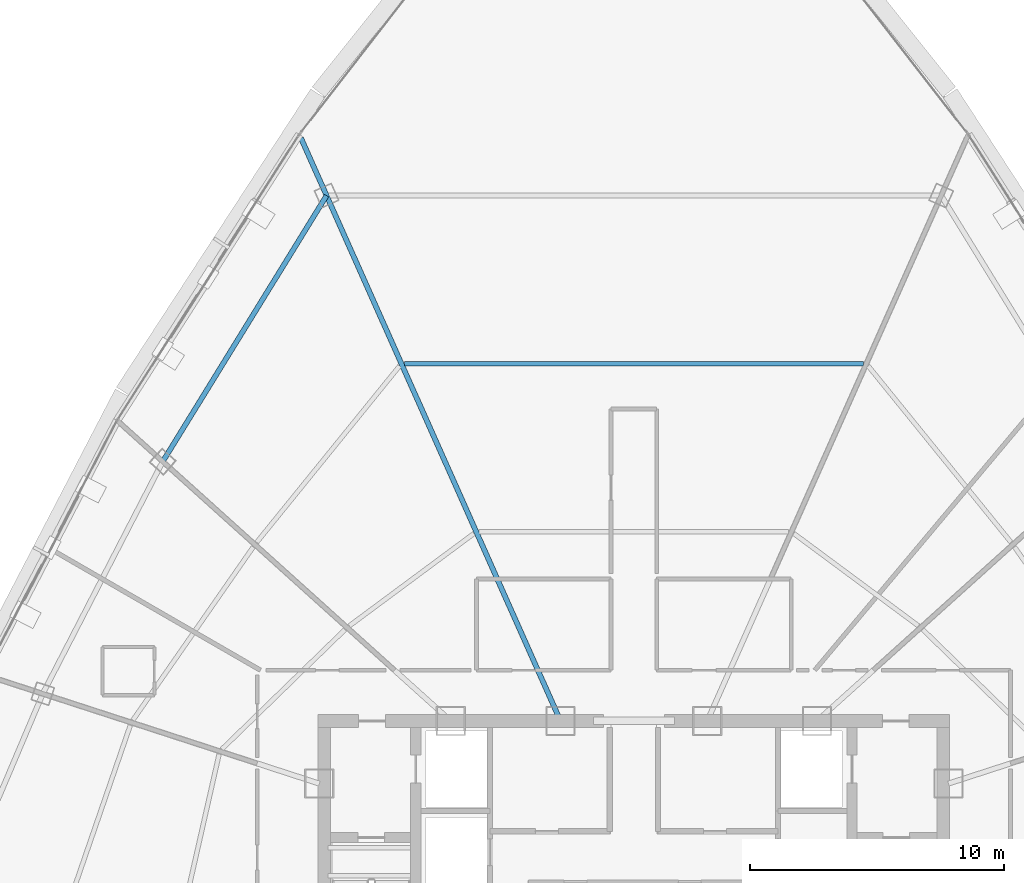
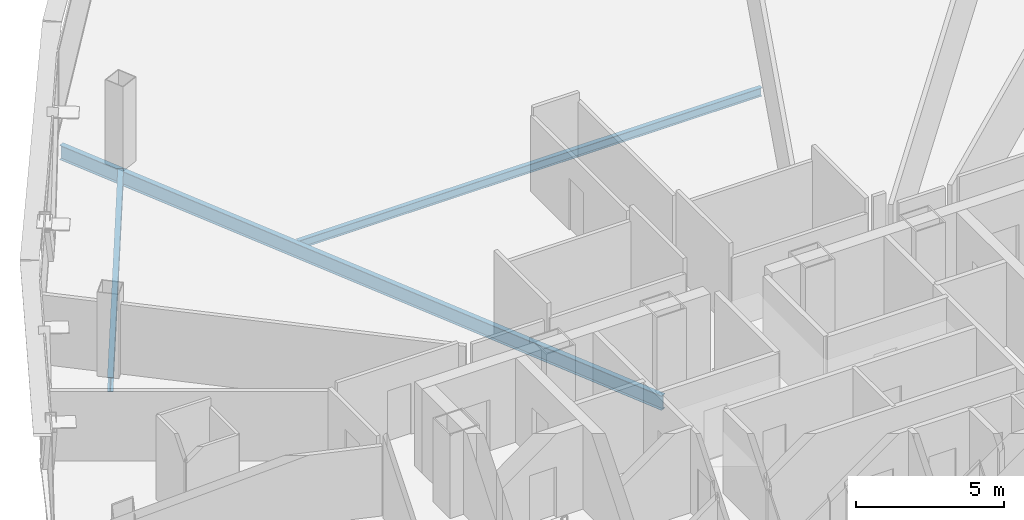
# One storey, part 21 of 39: 3 beams.
"""IFC4 building model written with IfcOpenShell, lengths in metres."""

from ifc_helpers import new_model, si_unit, direction, frame, origin, origin_2d, place, context, subcontext, project, spatial, i_section, extrude, source, transform, mapped, material, material_profile, profile_set, type_object, element, save


model = new_model("IFC4")

# Units and contexts
model_context = context("Model", 3, precision=1e-05, world=origin(), true_north=direction((0.0, 1.0)))
body_context = subcontext(model_context, "Body", "Model", "MODEL_VIEW")
ifc_project = project(units=[si_unit("LENGTHUNIT", "METRE"), si_unit("AREAUNIT", "SQUARE_METRE"), si_unit("VOLUMEUNIT", "CUBIC_METRE"), si_unit("PLANEANGLEUNIT", "RADIAN"), si_unit("MASSUNIT", "GRAM", prefix="KILO"), si_unit("THERMODYNAMICTEMPERATUREUNIT", "KELVIN"), si_unit("POWERUNIT", "WATT")], contexts=[model_context])

# Site, building, storey
site_placement = place(None, origin())
site = spatial("IfcSite", under=ifc_project, at=site_placement, CompositionType="ELEMENT")
building_placement = place(site_placement, origin())
building = spatial("IfcBuilding", under=site, at=building_placement, Name="Yunzhuo Pagoda Commons", CompositionType="ELEMENT")
storey_placement = place(building_placement, frame((0.0, 0.0, 296.2099609375)))
storey = spatial("IfcBuildingStorey", under=building, at=storey_placement, Name="L74", CompositionType="ELEMENT", Elevation=296.2099609375)

# Beams
ifc_material = material(Name="Structural steel Q355B", Category="steel")
ifc_material_profile_1 = material_profile(ifc_material, i_section(OverallWidth=0.199951171875, OverallDepth=0.60009765625, WebThickness=0.010986328125, FlangeThickness=0.01708984375, at=origin_2d()), Name="Structural steel Q355B")
ifc_profile_set_1 = profile_set([ifc_material_profile_1], Name="Structural steel Q355B")
beam_type_1 = type_object("IfcBeamType", Name="B-RG3 Beam HN 600x200x11x17", PredefinedType="BEAM", material=ifc_profile_set_1)
shared_shape_1 = source(origin(), body_context, "Body", "SweptSolid", [
    extrude(i_section(OverallWidth=0.199951171875, OverallDepth=0.60009765625, WebThickness=0.010986328125, FlangeThickness=0.01708984375, at=origin_2d()), origin(), (0.0, 0.0, 1.0), 12.315185546875),
])
beam_1_placement = place(storey_placement, frame((35.8857421875, 60.9091796875, -0.56005859375), z_axis=(-0.524469015689, -0.851429534126, 0.0), x_axis=(0.851429534126, -0.524469015689, 0.0)))
element("IfcBeam", 1, at=beam_1_placement, inside=storey, type_object=beam_type_1, Name="L74 column-ring beam 9", PredefinedType="BEAM", context=body_context, shape_type="MappedRepresentation", body=[
    mapped(shared_shape_1, transform((0.0, 0.0, 0.0), scale=1.0)),
])
ifc_material_profile_2 = material_profile(ifc_material, i_section(OverallWidth=0.175048828125, OverallDepth=0.35009765625, WebThickness=0.007080078125, FlangeThickness=0.010986328125, at=origin_2d()), Name="Structural steel Q355B")
ifc_profile_set_2 = profile_set([ifc_material_profile_2], Name="Structural steel Q355B")
beam_type_2 = type_object("IfcBeamType", Name="B-JS2 Joist HN 350x175x7x11", PredefinedType="JOIST", material=ifc_profile_set_2)
shared_shape_2 = source(origin(), body_context, "Body", "SweptSolid", [
    extrude(i_section(OverallWidth=0.175048828125, OverallDepth=0.35009765625, WebThickness=0.007080078125, FlangeThickness=0.010986328125, at=origin_2d()), origin(), (0.0, 0.0, 1.0), 18.09765625),
])
beam_2_placement = place(storey_placement, frame((57.048828125, 54.2822265625, -0.43505859375), z_axis=(-1.0, 0.0, 0.0), x_axis=(0.0, -1.0, 0.0)))
element("IfcBeam", 2, at=beam_2_placement, inside=storey, type_object=beam_type_2, Name="L74 composite ring joist 2.8", PredefinedType="JOIST", context=body_context, shape_type="MappedRepresentation", body=[
    mapped(shared_shape_2, transform((0.0, 0.0, 0.0), scale=1.0)),
])
shared_shape_3 = source(origin(), body_context, "Body", "SweptSolid", [
    extrude(i_section(OverallWidth=0.199951171875, OverallDepth=0.60009765625, WebThickness=0.010986328125, FlangeThickness=0.01708984375, at=origin_2d()), origin(), (0.0, 0.0, 1.0), 25.15283203125),
])
beam_3_placement = place(storey_placement, frame((34.87548828125, 63.17822265625, -0.56005859375), z_axis=(0.40673276589, -0.913547183867, 0.0), x_axis=(0.913547183867, 0.40673276589, 0.0)))
element("IfcBeam", 3, at=beam_3_placement, inside=storey, type_object=beam_type_1, Name="L74 radial floor girder F3C1", PredefinedType="BEAM", context=body_context, shape_type="MappedRepresentation", body=[
    mapped(shared_shape_3, transform((0.0, 0.0, 0.0), scale=1.0)),
])

save(model, "model.ifc")
